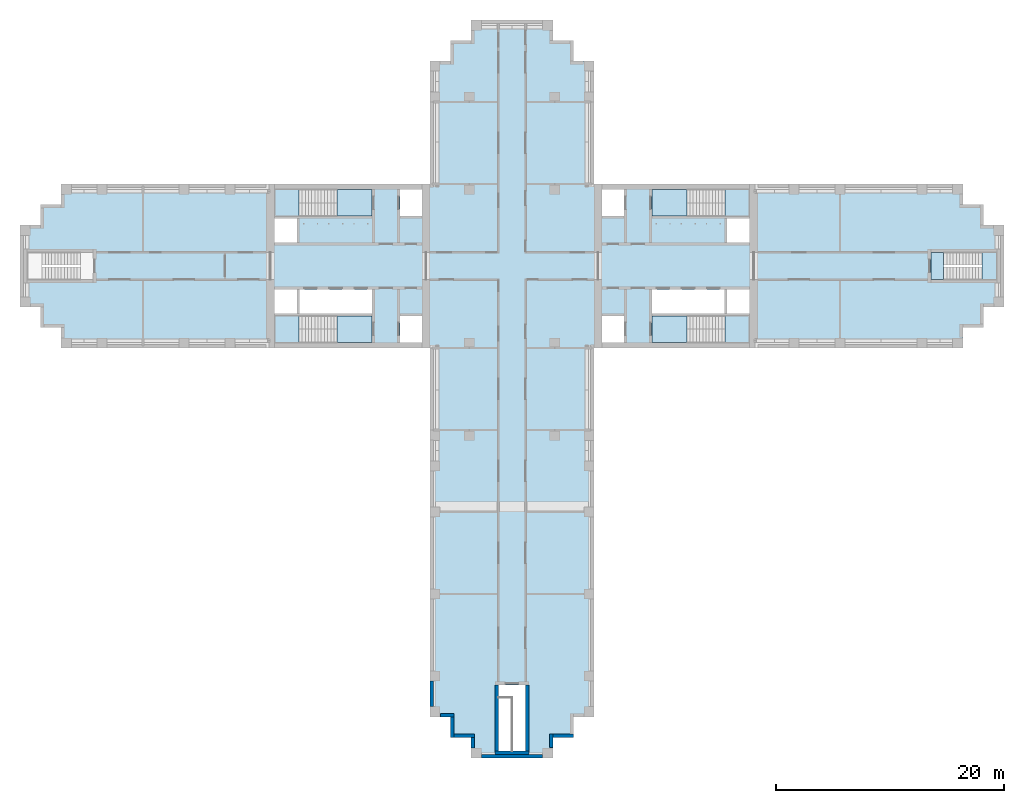
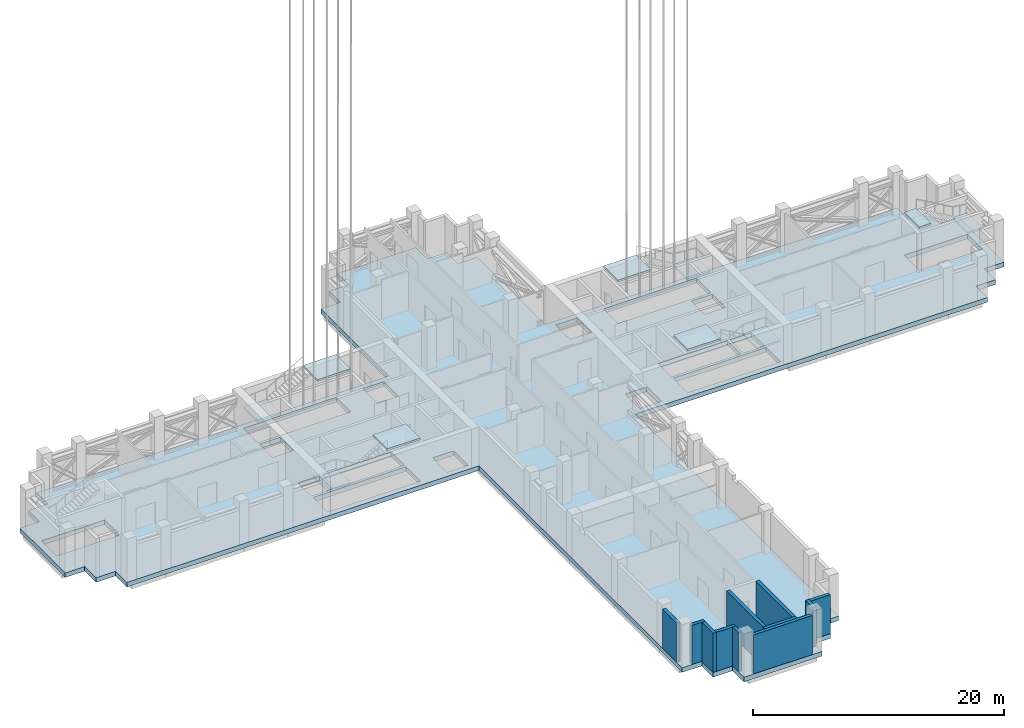
# One storey, part 3 of 22: 11 slabs, 11 walls, 5 elements without a shape of their own.
"""IFC4 building model written with IfcOpenShell, lengths in metres."""

from ifc_helpers import new_model, si_unit, direction, frame, frame_2d, origin, place, context, subcontext, project, spatial, polyline, rectangle, outline, extrude, material, layer, layer_set, type_object, element, aggregate, save


model = new_model("IFC4")

# Units and contexts
model_context = context("Model", 3, precision=1e-05, world=origin(), true_north=direction((0.0, 1.0)))
body_context = subcontext(model_context, "Body", "Model", "MODEL_VIEW")
ifc_project = project(units=[si_unit("LENGTHUNIT", "METRE"), si_unit("AREAUNIT", "SQUARE_METRE"), si_unit("VOLUMEUNIT", "CUBIC_METRE"), si_unit("PLANEANGLEUNIT", "RADIAN"), si_unit("MASSUNIT", "GRAM", prefix="KILO")], contexts=[model_context])

# Site, building, storey
site_placement = place(None, origin())
site = spatial("IfcSite", under=ifc_project, at=site_placement, CompositionType="ELEMENT")
building_placement = place(site_placement, origin())
building = spatial("IfcBuilding", under=site, at=building_placement, Name="Fustian Cross Tower", CompositionType="ELEMENT")
storey_placement = place(building_placement, frame((0.0, 0.0, 111.89990234375)))
storey = spatial("IfcBuildingStorey", under=building, at=storey_placement, Name="L35", CompositionType="ELEMENT", Elevation=111.89990234375)

# Slab
ifc_material_1 = material(Name="Concrete C40/50", Category="concrete")
ifc_layer_1 = layer(ifc_material_1, 0.449951171875)
ifc_layer_set_1 = layer_set([ifc_layer_1], Name="Concrete C40/50")
slab_type_1 = type_object("IfcSlabType", Name="FLAT SLAB 450", PredefinedType="FLOOR", material=ifc_layer_set_1)
slab_1_placement = place(storey_placement, frame((0.0, 0.0, -0.449951171875)))
element("IfcSlab", 1, at=slab_1_placement, inside=storey, type_object=slab_type_1, Name="FLOOR SLAB L35-1", PredefinedType="FLOOR", context=body_context, shape_type="SweptSolid", body=[
    extrude(outline(polyline([(-43.199951171875, -3.60009765625), (-43.199951171875, 3.60009765625), (-41.39990234375, 3.60009765625), (-41.39990234375, 5.39990234375), (-39.60009765625, 5.39990234375), (-39.60009765625, 7.199951171875), (-7.199951171875, 7.199951171875), (-7.199951171875, 18.0), (-5.39990234375, 18.0), (-5.39990234375, 19.800048828125), (-3.60009765625, 19.800048828125), (-3.60009765625, 21.60009765625), (3.60009765625, 21.60009765625), (3.60009765625, 19.800048828125), (5.39990234375, 19.800048828125), (5.39990234375, 18.0), (7.199951171875, 18.0), (7.199951171875, 7.199951171875), (39.60009765625, 7.199951171875), (39.60009765625, 5.39990234375), (41.39990234375, 5.39990234375), (41.39990234375, 3.60009765625), (43.199951171875, 3.60009765625), (43.199951171875, -3.60009765625), (41.39990234375, -3.60009765625), (41.39990234375, -5.39990234375), (39.60009765625, -5.39990234375), (39.60009765625, -7.199951171875), (7.199951171875, -7.199951171875), (7.199951171875, -39.60009765625), (5.39990234375, -39.60009765625), (5.39990234375, -41.39990234375), (3.60009765625, -41.39990234375), (3.60009765625, -43.199951171875), (-3.60009765625, -43.199951171875), (-3.60009765625, -41.39990234375), (-5.39990234375, -41.39990234375), (-5.39990234375, -39.60009765625), (-7.199951171875, -39.60009765625), (-7.199951171875, -7.199951171875), (-39.60009765625, -7.199951171875), (-39.60009765625, -5.39990234375), (-41.39990234375, -5.39990234375), (-41.39990234375, -3.60009765625), (-43.199951171875, -3.60009765625)]), holes=[polyline([(20.85009765625, -2.050048828125), (18.89990234375, -2.050048828125), (18.89990234375, -4.14990234375), (20.85009765625, -4.14990234375), (20.85009765625, -2.050048828125)]), polyline([(20.85009765625, 2.050048828125), (20.85009765625, 4.14990234375), (18.89990234375, 4.14990234375), (18.89990234375, 2.050048828125), (20.85009765625, 2.050048828125)]), polyline([(7.89990234375, 4.39990234375), (9.85009765625, 4.39990234375), (9.85009765625, 6.699951171875), (7.89990234375, 6.699951171875), (7.89990234375, 4.39990234375)]), polyline([(7.89990234375, -4.39990234375), (7.89990234375, -6.699951171875), (9.85009765625, -6.699951171875), (9.85009765625, -4.39990234375), (7.89990234375, -4.39990234375)]), polyline([(-18.89990234375, -2.050048828125), (-20.85009765625, -2.050048828125), (-20.85009765625, -4.14990234375), (-18.89990234375, -4.14990234375), (-18.89990234375, -2.050048828125)]), polyline([(-18.89990234375, 2.050048828125), (-18.89990234375, 4.14990234375), (-20.85009765625, 4.14990234375), (-20.85009765625, 2.050048828125), (-18.89990234375, 2.050048828125)]), polyline([(-9.85009765625, 4.39990234375), (-7.89990234375, 4.39990234375), (-7.89990234375, 6.699951171875), (-9.85009765625, 6.699951171875), (-9.85009765625, 4.39990234375)]), polyline([(-9.85009765625, -4.39990234375), (-9.85009765625, -6.699951171875), (-7.89990234375, -6.699951171875), (-7.89990234375, -4.39990234375), (-9.85009765625, -4.39990234375)]), polyline([(18.64990234375, -2.050048828125), (12.300048828125, -2.050048828125), (12.300048828125, -4.14990234375), (18.64990234375, -4.14990234375), (18.64990234375, -2.050048828125)]), polyline([(-12.300048828125, -4.14990234375), (-12.300048828125, -2.050048828125), (-18.64990234375, -2.050048828125), (-18.64990234375, -4.14990234375), (-12.300048828125, -4.14990234375)]), polyline([(12.300048828125, 4.39990234375), (20.85009765625, 4.39990234375), (20.85009765625, 6.699951171875), (12.300048828125, 6.699951171875), (12.300048828125, 4.39990234375)]), polyline([(12.300048828125, -4.39990234375), (12.300048828125, -6.699951171875), (20.85009765625, -6.699951171875), (20.85009765625, -4.39990234375), (12.300048828125, -4.39990234375)]), polyline([(-12.300048828125, 6.699951171875), (-20.85009765625, 6.699951171875), (-20.85009765625, 4.39990234375), (-12.300048828125, 4.39990234375), (-12.300048828125, 6.699951171875)]), polyline([(-12.300048828125, -6.699951171875), (-12.300048828125, -4.39990234375), (-20.85009765625, -4.39990234375), (-20.85009765625, -6.699951171875), (-12.300048828125, -6.699951171875)]), polyline([(-1.199951171875, -42.60009765625), (1.199951171875, -42.60009765625), (1.199951171875, -36.800048828125), (-1.199951171875, -36.800048828125), (-1.199951171875, -42.60009765625)]), polyline([(36.800048828125, 1.199951171875), (36.800048828125, -1.199951171875), (42.60009765625, -1.199951171875), (42.60009765625, 1.199951171875), (36.800048828125, 1.199951171875)]), polyline([(-36.800048828125, 1.199951171875), (-42.60009765625, 1.199951171875), (-42.60009765625, -1.199951171875), (-36.800048828125, -1.199951171875), (-36.800048828125, 1.199951171875)])]), origin(), (0.0, 0.0, 1.0), 0.449951171875),
])

# Stair, slabs
ifc_material_2 = material(Name="Concrete C50/60", Category="concrete")
stair_type_1 = type_object("IfcStairType", Name="STAIR 1150 HALF TURN", PredefinedType="HALF_TURN_STAIR", material=ifc_material_2)
stair_1_placement = place(storey_placement, origin())
stair_1 = element("IfcStair", 2, at=stair_1_placement, inside=storey, type_object=stair_type_1, Name="Stair ST1", PredefinedType="HALF_TURN_STAIR")
ifc_material_3 = material(Name="Concrete C50/60", Category="concrete")
ifc_layer_2 = layer(ifc_material_3, 0.199951171875)
ifc_layer_set_2 = layer_set([ifc_layer_2], Name="Concrete C50/60")
slab_type_2 = type_object("IfcSlabType", Name="STAIR LANDING", PredefinedType="LANDING", material=ifc_layer_set_2)
slab_2_placement = place(storey_placement, frame((0.0, 0.0, 1.900146484375)))
slab_2 = element("IfcSlab", 3, at=slab_2_placement, type_object=slab_type_2, Name="ST1 landing 1", PredefinedType="LANDING", context=body_context, shape_type="SweptSolid", body=[
    extrude(outline(polyline([(18.7099609375, 4.39990234375), (20.85009765625, 4.39990234375), (20.85009765625, 6.699951171875), (18.7099609375, 6.699951171875), (18.7099609375, 4.39990234375)])), origin(), (0.0, 0.0, 1.0), 0.199951171875),
])
slab_3_placement = place(storey_placement, frame((0.0, 0.0, 4.0)))
slab_3 = element("IfcSlab", 4, at=slab_3_placement, type_object=slab_type_2, Name="ST1 landing 2", PredefinedType="LANDING", context=body_context, shape_type="SweptSolid", body=[
    extrude(outline(polyline([(12.300048828125, 4.39990234375), (15.35009765625, 4.39990234375), (15.35009765625, 6.699951171875), (12.300048828125, 6.699951171875), (12.300048828125, 4.39990234375)])), origin(), (0.0, 0.0, 1.0), 0.2001953125),
])
aggregate(stair_1, [slab_2, slab_3])

stair_2_placement = place(storey_placement, origin())
stair_2 = element("IfcStair", 5, at=stair_2_placement, inside=storey, type_object=stair_type_1, Name="Stair ST2", PredefinedType="HALF_TURN_STAIR")
slab_4_placement = place(storey_placement, frame((0.0, 0.0, 1.900146484375)))
slab_4 = element("IfcSlab", 6, at=slab_4_placement, type_object=slab_type_2, Name="ST2 landing 1", PredefinedType="LANDING", context=body_context, shape_type="SweptSolid", body=[
    extrude(outline(polyline([(18.7099609375, -4.39990234375), (20.85009765625, -4.39990234375), (20.85009765625, -6.699951171875), (18.7099609375, -6.699951171875), (18.7099609375, -4.39990234375)])), origin(), (0.0, 0.0, 1.0), 0.199951171875),
])
slab_5_placement = place(storey_placement, frame((0.0, 0.0, 4.0)))
slab_5 = element("IfcSlab", 7, at=slab_5_placement, type_object=slab_type_2, Name="ST2 landing 2", PredefinedType="LANDING", context=body_context, shape_type="SweptSolid", body=[
    extrude(outline(polyline([(12.300048828125, -4.39990234375), (15.35009765625, -4.39990234375), (15.35009765625, -6.699951171875), (12.300048828125, -6.699951171875), (12.300048828125, -4.39990234375)])), origin(), (0.0, 0.0, 1.0), 0.2001953125),
])
aggregate(stair_2, [slab_4, slab_5])

stair_3_placement = place(storey_placement, origin())
stair_3 = element("IfcStair", 8, at=stair_3_placement, inside=storey, type_object=stair_type_1, Name="Stair ST3", PredefinedType="HALF_TURN_STAIR")
slab_6_placement = place(storey_placement, frame((0.0, 0.0, 1.900146484375)))
slab_6 = element("IfcSlab", 9, at=slab_6_placement, type_object=slab_type_2, Name="ST3 landing 1", PredefinedType="LANDING", context=body_context, shape_type="SweptSolid", body=[
    extrude(outline(polyline([(-18.7099609375, 4.39990234375), (-20.85009765625, 4.39990234375), (-20.85009765625, 6.699951171875), (-18.7099609375, 6.699951171875), (-18.7099609375, 4.39990234375)])), origin(), (0.0, 0.0, 1.0), 0.199951171875),
])
slab_7_placement = place(storey_placement, frame((0.0, 0.0, 4.0)))
slab_7 = element("IfcSlab", 10, at=slab_7_placement, type_object=slab_type_2, Name="ST3 landing 2", PredefinedType="LANDING", context=body_context, shape_type="SweptSolid", body=[
    extrude(outline(polyline([(-12.300048828125, 4.39990234375), (-15.35009765625, 4.39990234375), (-15.35009765625, 6.699951171875), (-12.300048828125, 6.699951171875), (-12.300048828125, 4.39990234375)])), origin(), (0.0, 0.0, 1.0), 0.2001953125),
])
aggregate(stair_3, [slab_6, slab_7])

stair_4_placement = place(storey_placement, origin())
stair_4 = element("IfcStair", 11, at=stair_4_placement, inside=storey, type_object=stair_type_1, Name="Stair ST4", PredefinedType="HALF_TURN_STAIR")
slab_8_placement = place(storey_placement, frame((0.0, 0.0, 1.900146484375)))
slab_8 = element("IfcSlab", 12, at=slab_8_placement, type_object=slab_type_2, Name="ST4 landing 1", PredefinedType="LANDING", context=body_context, shape_type="SweptSolid", body=[
    extrude(outline(polyline([(-18.7099609375, -4.39990234375), (-20.85009765625, -4.39990234375), (-20.85009765625, -6.699951171875), (-18.7099609375, -6.699951171875), (-18.7099609375, -4.39990234375)])), origin(), (0.0, 0.0, 1.0), 0.199951171875),
])
slab_9_placement = place(storey_placement, frame((0.0, 0.0, 4.0)))
slab_9 = element("IfcSlab", 13, at=slab_9_placement, type_object=slab_type_2, Name="ST4 landing 2", PredefinedType="LANDING", context=body_context, shape_type="SweptSolid", body=[
    extrude(outline(polyline([(-12.300048828125, -4.39990234375), (-15.35009765625, -4.39990234375), (-15.35009765625, -6.699951171875), (-12.300048828125, -6.699951171875), (-12.300048828125, -4.39990234375)])), origin(), (0.0, 0.0, 1.0), 0.2001953125),
])
aggregate(stair_4, [slab_8, slab_9])

ifc_material_4 = material(Name="Concrete C50/60", Category="concrete")
stair_type_2 = type_object("IfcStairType", Name="STAIR 1100 HALF TURN", PredefinedType="HALF_TURN_STAIR", material=ifc_material_4)
stair_5_placement = place(storey_placement, origin())
stair_5 = element("IfcStair", 14, at=stair_5_placement, inside=storey, type_object=stair_type_2, Name="Stair ST8", PredefinedType="HALF_TURN_STAIR")
slab_10_placement = place(storey_placement, frame((0.0, 0.0, 1.900146484375)))
slab_10 = element("IfcSlab", 15, at=slab_10_placement, type_object=slab_type_2, Name="ST8 landing 1", PredefinedType="LANDING", context=body_context, shape_type="SweptSolid", body=[
    extrude(outline(polyline([(41.260009765625, -1.199951171875), (42.60009765625, -1.199951171875), (42.60009765625, 1.199951171875), (41.260009765625, 1.199951171875), (41.260009765625, -1.199951171875)])), origin(), (0.0, 0.0, 1.0), 0.199951171875),
])
slab_11_placement = place(storey_placement, frame((0.0, 0.0, 4.0)))
slab_11 = element("IfcSlab", 16, at=slab_11_placement, type_object=slab_type_2, Name="ST8 landing 2", PredefinedType="LANDING", context=body_context, shape_type="SweptSolid", body=[
    extrude(outline(polyline([(36.800048828125, -1.199951171875), (37.89990234375, -1.199951171875), (37.89990234375, 1.199951171875), (36.800048828125, 1.199951171875), (36.800048828125, -1.199951171875)])), origin(), (0.0, 0.0, 1.0), 0.2001953125),
])
aggregate(stair_5, [slab_10, slab_11])

# Walls
ifc_material_5 = material(Name="Concrete C50/60", Category="concrete")
ifc_layer_3 = layer(ifc_material_5, 0.300048828125)
ifc_layer_set_3 = layer_set([ifc_layer_3], Name="Concrete C50/60")
wall_type_1 = type_object("IfcWallType", Name="STAIR ENCLOSURE WALL 300 C50/60", PredefinedType="SHEAR", material=ifc_layer_set_3)
wall_1_placement = place(storey_placement, frame((-1.5, -42.75, 0.0), z_axis=(0.0, 0.0, 1.0), x_axis=(1.0, 0.0, 0.0)))
element("IfcWall", 17, at=wall_1_placement, inside=storey, type_object=wall_type_1, Name="Stair enclosure wall", PredefinedType="SHEAR", context=body_context, shape_type="SweptSolid", body=[
    extrude(rectangle(XDim=3.0, YDim=0.300048828125, at=frame_2d((1.5, 0.0))), origin(), (0.0, 0.0, 1.0), 3.800048828125),
])
for number, where, z_axis, x_axis, name in (
    (18, (-1.35009765625, -36.800048828125, 0.0), (0.0, 0.0, 1.0), (0.0, -1.0, 0.0), "Stair enclosure wall"),
    (19, (1.35009765625, -36.800048828125, 0.0), (0.0, 0.0, 1.0), (0.0, -1.0, 0.0), "Stair enclosure wall"),
):
    element("IfcWall", number, at=place(storey_placement, frame(where, z_axis=z_axis, x_axis=x_axis)), inside=storey, type_object=wall_type_1, Name=name, PredefinedType="SHEAR", context=body_context, shape_type="SweptSolid", body=[
        extrude(rectangle(XDim=5.800048828125, YDim=0.300048828125, at=frame_2d((2.89990234375, 0.0))), origin(), (0.0, 0.0, 1.0), 3.800048828125),
    ])
ifc_material_6 = material(Name="Dark aluminium louvres on insulated backing wall", Category="aluminium")
ifc_layer_4 = layer(ifc_material_6, 0.300048828125)
ifc_layer_set_4 = layer_set([ifc_layer_4], Name="Dark aluminium louvres on insulated backing wall")
wall_type_2 = type_object("IfcWallType", Name="XW2 LOUVRED PLANT WALL 300", PredefinedType="SOLIDWALL", material=ifc_layer_set_4)
wall_2_placement = place(storey_placement, frame((-7.050048828125, -36.449951171875, 0.0), z_axis=(0.0, 0.0, 1.0), x_axis=(0.0, -1.0, 0.0)))
element("IfcWall", 20, at=wall_2_placement, inside=storey, type_object=wall_type_2, Name="Plant louvre wall", PredefinedType="SOLIDWALL", context=body_context, shape_type="SweptSolid", body=[
    extrude(rectangle(XDim=2.25, YDim=0.300048828125, at=frame_2d((1.125, 0.0))), origin(), (0.0, 0.0, 1.0), 3.800048828125),
])
wall_3_placement = place(storey_placement, frame((-6.300048828125, -39.449951171875, 0.0), z_axis=(0.0, 0.0, 1.0), x_axis=(1.0, 0.0, 0.0)))
element("IfcWall", 21, at=wall_3_placement, inside=storey, type_object=wall_type_2, Name="Plant louvre wall", PredefinedType="SOLIDWALL", context=body_context, shape_type="SweptSolid", body=[
    extrude(rectangle(XDim=1.199951171875, YDim=0.300048828125, at=frame_2d((0.60009765625, 0.0))), origin(), (0.0, 0.0, 1.0), 3.800048828125),
])
wall_4_placement = place(storey_placement, frame((-5.25, -39.60009765625, 0.0), z_axis=(0.0, 0.0, 1.0), x_axis=(0.0, -1.0, 0.0)))
element("IfcWall", 22, at=wall_4_placement, inside=storey, type_object=wall_type_2, Name="Plant louvre wall", PredefinedType="SOLIDWALL", context=body_context, shape_type="SweptSolid", body=[
    extrude(rectangle(XDim=1.7998046875, YDim=0.300048828125, at=frame_2d((0.89990234375, 0.0))), origin(), (0.0, 0.0, 1.0), 3.800048828125),
])
wall_5_placement = place(storey_placement, frame((-5.10009765625, -41.25, 0.0), z_axis=(0.0, 0.0, 1.0), x_axis=(1.0, 0.0, 0.0)))
element("IfcWall", 23, at=wall_5_placement, inside=storey, type_object=wall_type_2, Name="Plant louvre wall", PredefinedType="SOLIDWALL", context=body_context, shape_type="SweptSolid", body=[
    extrude(rectangle(XDim=1.800048828125, YDim=0.300048828125, at=frame_2d((0.89990234375, 0.0))), origin(), (0.0, 0.0, 1.0), 3.800048828125),
])
wall_6_placement = place(storey_placement, frame((-3.449951171875, -41.39990234375, 0.0), z_axis=(0.0, 0.0, 1.0), x_axis=(0.0, -1.0, 0.0)))
element("IfcWall", 24, at=wall_6_placement, inside=storey, type_object=wall_type_2, Name="Plant louvre wall", PredefinedType="SOLIDWALL", context=body_context, shape_type="SweptSolid", body=[
    extrude(rectangle(XDim=0.900146484375, YDim=0.300048828125, at=frame_2d((0.4501953125, 0.0))), origin(), (0.0, 0.0, 1.0), 3.800048828125),
])
wall_7_placement = place(storey_placement, frame((-2.699951171875, -43.050048828125, 0.0), z_axis=(0.0, 0.0, 1.0), x_axis=(1.0, 0.0, 0.0)))
element("IfcWall", 25, at=wall_7_placement, inside=storey, type_object=wall_type_2, Name="Plant louvre wall", PredefinedType="SOLIDWALL", context=body_context, shape_type="SweptSolid", body=[
    extrude(rectangle(XDim=5.39990234375, YDim=0.300048828125, at=frame_2d((2.699951171875, 0.0))), origin(), (0.0, 0.0, 1.0), 3.800048828125),
])
wall_8_placement = place(storey_placement, frame((3.449951171875, -42.300048828125, 0.0), z_axis=(0.0, 0.0, 1.0), x_axis=(0.0, 1.0, 0.0)))
element("IfcWall", 26, at=wall_8_placement, inside=storey, type_object=wall_type_2, Name="Plant louvre wall", PredefinedType="SOLIDWALL", context=body_context, shape_type="SweptSolid", body=[
    extrude(rectangle(XDim=1.199951171875, YDim=0.300048828125, at=frame_2d((0.60009765625, 0.0))), origin(), (0.0, 0.0, 1.0), 3.800048828125),
])
wall_9_placement = place(storey_placement, frame((3.60009765625, -41.25, 0.0), z_axis=(0.0, 0.0, 1.0), x_axis=(1.0, 0.0, 0.0)))
element("IfcWall", 27, at=wall_9_placement, inside=storey, type_object=wall_type_2, Name="Plant louvre wall", PredefinedType="SOLIDWALL", context=body_context, shape_type="SweptSolid", body=[
    extrude(rectangle(XDim=1.7998046875, YDim=0.300048828125, at=frame_2d((0.89990234375, 0.0))), origin(), (0.0, 0.0, 1.0), 3.800048828125),
])

save(model, "model.ifc")
